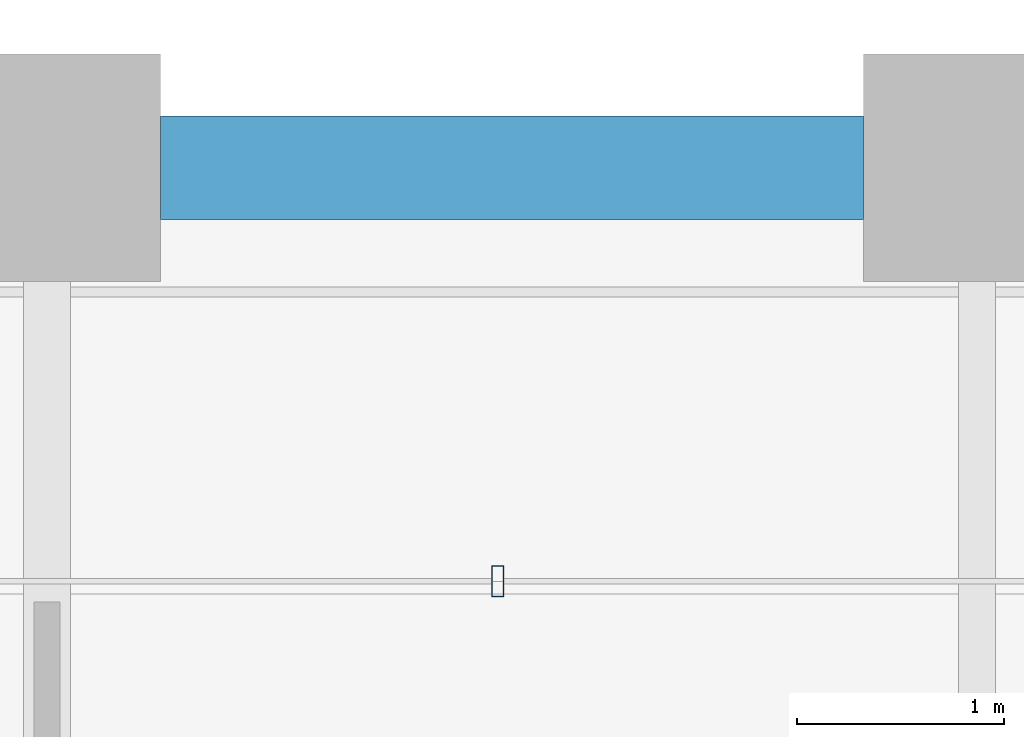
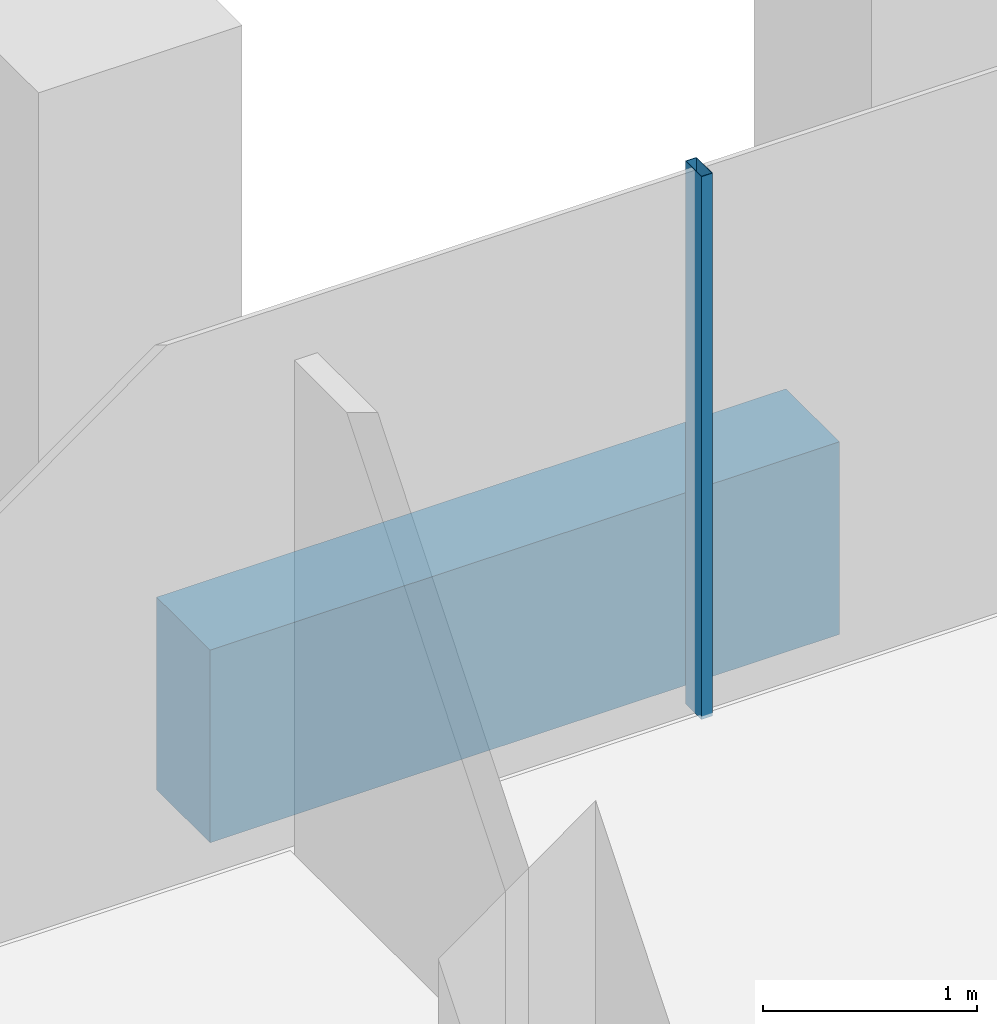
# One storey, part 42 of 56: 1 beam, 1 member, 1 element without a shape of its own.
"""IFC4 building model written with IfcOpenShell, lengths in metres."""

from ifc_helpers import new_model, si_unit, direction, frame, origin, origin_2d, place, context, subcontext, project, spatial, rectangle, hollow_rectangle, extrude, material, material_profile, profile_set, type_object, element, aggregate, save


model = new_model("IFC4")

# Units and contexts
model_context = context("Model", 3, precision=1e-05, world=origin(), true_north=direction((0.0, 1.0)))
body_context = subcontext(model_context, "Body", "Model", "MODEL_VIEW")
ifc_project = project(units=[si_unit("LENGTHUNIT", "METRE"), si_unit("AREAUNIT", "SQUARE_METRE"), si_unit("VOLUMEUNIT", "CUBIC_METRE"), si_unit("PLANEANGLEUNIT", "RADIAN"), si_unit("MASSUNIT", "GRAM", prefix="KILO")], contexts=[model_context])

# Site, building, storey
site_placement = place(None, origin())
site = spatial("IfcSite", under=ifc_project, at=site_placement, CompositionType="ELEMENT")
building_placement = place(site_placement, origin())
building = spatial("IfcBuilding", under=site, at=building_placement, Name="Altepetl Exchange Towers", CompositionType="ELEMENT")
storey_placement = place(building_placement, frame((0.0, 0.0, 76.199951171875)))
storey = spatial("IfcBuildingStorey", under=building, at=storey_placement, Name="L18", CompositionType="ELEMENT", Elevation=76.199951171875)

# Curtain wall, member
ifc_material_1 = material(Name="Aluminium 6063-T6 glazing", Category="aluminium")
curtain_wall_type = type_object("IfcCurtainWallType", Name="Loggia glazing system", PredefinedType="NOTDEFINED", material=ifc_material_1)
curtain_wall_placement = place(storey_placement, origin())
curtain_wall = element("IfcCurtainWall", 1, at=curtain_wall_placement, inside=storey, type_object=curtain_wall_type, Name="CW1 run", PredefinedType="NOTDEFINED")
ifc_material_2 = material(Name="Aluminium 6063-T6", Category="aluminium")
ifc_material_profile_1 = material_profile(ifc_material_2, hollow_rectangle(XDim=0.06005859375, YDim=0.14990234375, WallThickness=0.0029296875, at=origin_2d()), Name="Mullion 60x150 aluminium")
ifc_profile_set_1 = profile_set([ifc_material_profile_1], Name="Aluminium 6063-T6")
member_type = type_object("IfcMemberType", Name="Mullion 60x150 aluminium", PredefinedType="MULLION", material=ifc_profile_set_1)
member_placement = place(storey_placement, frame((105.68115234375, 56.5, 0.0), z_axis=(0.0, 0.0, 1.0), x_axis=(-1.0, 0.0, 0.0)))
member = element("IfcMember", 2, at=member_placement, type_object=member_type, Name="MU1 mullion", PredefinedType="MULLION", context=body_context, shape_type="SweptSolid", body=[
    extrude(hollow_rectangle(XDim=0.06005859375, YDim=0.14990234375, WallThickness=0.0029296875, at=origin_2d()), origin(), (0.0, 0.0, 1.0), 3.10009765625),
])
aggregate(curtain_wall, [member])

# Beam
ifc_material_3 = material(Name="Concrete C50/60 precast with cantera amarilla facing", Category="concrete")
ifc_material_profile_2 = material_profile(ifc_material_3, rectangle(XDim=0.5, YDim=1.10009765625, at=origin_2d()), Name="500 x 1100")
ifc_profile_set_2 = profile_set([ifc_material_profile_2], Name="Concrete C50/60 precast with cantera amarilla facing")
beam_type = type_object("IfcBeamType", Name="Spandrel beam 500x1100 cantera amarilla", PredefinedType="SPANDREL", material=ifc_profile_set_2)
beam_placement = place(storey_placement, frame((107.449951171875, 58.5, -0.699951171875), z_axis=(-1.0, 0.0, 0.0), x_axis=(0.0, -1.0, 0.0)))
element("IfcBeam", 3, at=beam_placement, inside=storey, type_object=beam_type, Name="sp:B:L18:021", PredefinedType="SPANDREL", context=body_context, shape_type="SweptSolid", body=[
    extrude(rectangle(XDim=0.5, YDim=1.10009765625, at=origin_2d()), origin(), (0.0, 0.0, 1.0), 3.39990234375),
])

save(model, "model.ifc")
